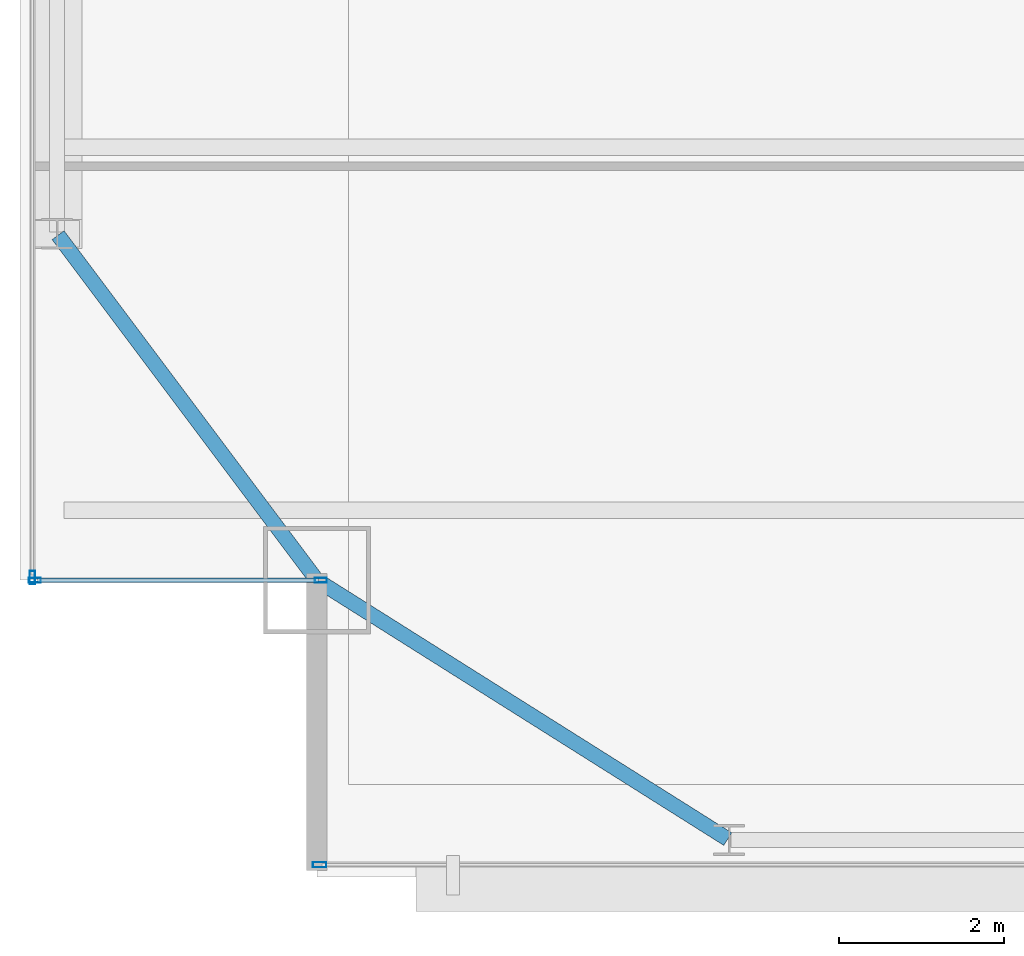
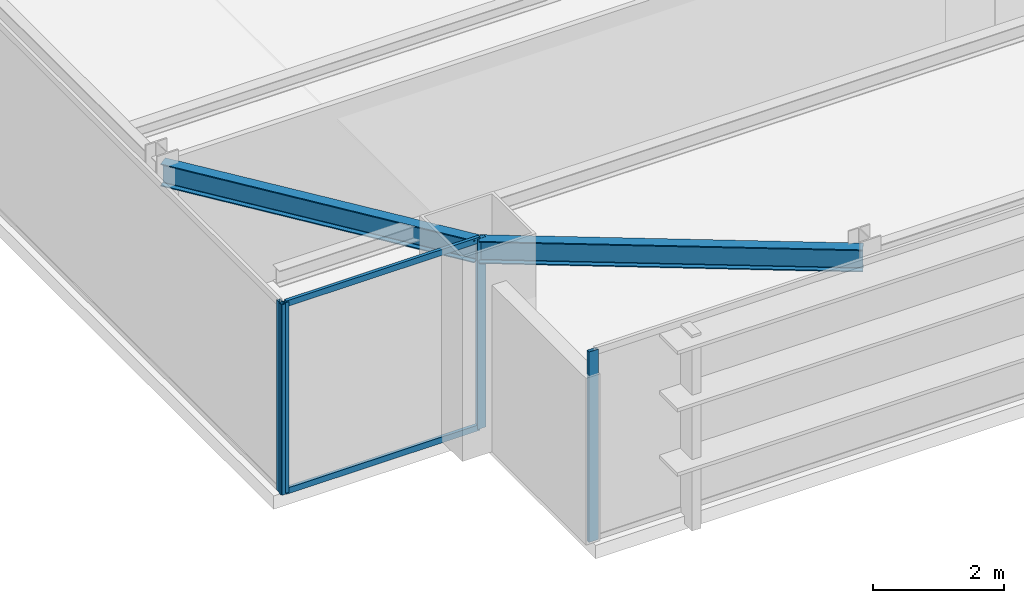
# One storey, part 4 of 30: 6 members, 2 beams, 3 elements without a shape of their own.
"""IFC4 building model written with IfcOpenShell, lengths in metres."""

import ifcopenshell
import ifcopenshell.guid

model = None  # the IFC model being written
_history = None  # IfcOwnerHistory: only IFC2X3 demands one
_inside = {}  # id of a spatial element -> (the spatial element, [elements in it])
_under = {}  # id of a project, library or spatial element -> (it, [spatial elements below it])
_declared = {}  # id of a project -> (the project, [libraries it declares])
_typed = {}  # id of a type object -> (the type object, [elements of that type])
_made_of = {}  # id of a material, layer set ... -> (it, [elements and type objects made of it])


def new_model(schema):
    """Start an empty IFC model of exactly this schema.

    Asked for "IFC4X3", IfcOpenShell would pick the latest addendum, in which some entities
    have other attributes; the version numbers below select the first issue.
    IFC2X3 requires an IfcOwnerHistory on every rooted entity: one is made here for all.
    """
    global model, _history
    if schema == "IFC4X3":
        model = ifcopenshell.file(schema_version=(4, 3, 0, 0))
    else:
        model = ifcopenshell.file(schema=schema)
    _inside.clear()
    _under.clear()
    _declared.clear()
    _typed.clear()
    _made_of.clear()
    _history = None
    if model.schema == "IFC2X3":
        org = make("IfcOrganization", Name="unknown")
        user = make(
            "IfcPersonAndOrganization",
            ThePerson=make("IfcPerson", FamilyName="unknown"),
            TheOrganization=org,
        )
        app = make(
            "IfcApplication",
            ApplicationDeveloper=org,
            Version="unknown",
            ApplicationFullName="unknown",
            ApplicationIdentifier="unknown",
        )
        _history = make(
            "IfcOwnerHistory",
            OwningUser=user,
            OwningApplication=app,
            ChangeAction="ADDED",
            CreationDate=0,
        )
    return model


def make(cls, **values):
    """One entity of the class cls with the attributes given. An attribute that is None is left unset."""
    return model.create_entity(
        cls, **{name: value for name, value in values.items() if value is not None}
    )


def rooted(cls, **values):
    """An entity with a GlobalId (a new one), such as an element, a storey or a relation."""
    return make(cls, GlobalId=ifcopenshell.guid.new(), OwnerHistory=_history, **values)


def si_unit(unit_type, name, prefix=None):
    """IfcSIUnit, for example si_unit("LENGTHUNIT", "METRE", prefix="MILLI")."""
    return make("IfcSIUnit", UnitType=unit_type, Prefix=prefix, Name=name)


def assignment(units):
    """IfcUnitAssignment: the units of a project."""
    return None if units is None else make("IfcUnitAssignment", Units=units)


def point(xyz):
    """IfcCartesianPoint."""
    return None if xyz is None else make("IfcCartesianPoint", Coordinates=xyz)


def direction(xyz):
    """IfcDirection."""
    return None if xyz is None else make("IfcDirection", DirectionRatios=xyz)


def frame(location, z_axis=None, x_axis=None):
    """IfcAxis2Placement3D, a coordinate frame: its origin and axes. An axis left out is left unset."""
    return make(
        "IfcAxis2Placement3D",
        Location=point(location),
        Axis=direction(z_axis),
        RefDirection=direction(x_axis),
    )


def frame_2d(location, x_axis=None):
    """IfcAxis2Placement2D, a coordinate frame in the plane: its origin and x axis."""
    return make(
        "IfcAxis2Placement2D", Location=point(location), RefDirection=direction(x_axis)
    )


def origin():
    """The frame at (0, 0, 0) with its axes left unset."""
    return frame((0.0, 0.0, 0.0))


def origin_2d():
    """The frame at (0, 0) in the plane with its x axis left unset."""
    return frame_2d((0.0, 0.0))


def place(relative_to, where):
    """IfcLocalPlacement: puts the frame where relative to a parent placement (None: the world)."""
    return make(
        "IfcLocalPlacement", PlacementRelTo=relative_to, RelativePlacement=where
    )


def context(
    kind, dimensions, precision=None, world=None, true_north=None, identifier=None
):
    """IfcGeometricRepresentationContext, for example the 3D "Model" context."""
    return make(
        "IfcGeometricRepresentationContext",
        ContextIdentifier=identifier,
        ContextType=kind,
        CoordinateSpaceDimension=dimensions,
        Precision=precision,
        WorldCoordinateSystem=world,
        TrueNorth=true_north,
    )


def subcontext(parent, identifier, kind, view, scale=None):
    """IfcGeometricRepresentationSubContext, for example "Body" below "Model"."""
    return make(
        "IfcGeometricRepresentationSubContext",
        ContextIdentifier=identifier,
        ContextType=kind,
        ParentContext=parent,
        TargetScale=scale,
        TargetView=view,
    )


def project(units=None, contexts=None):
    """IfcProject with its units and contexts."""
    return rooted(
        "IfcProject",
        Name="project",
        RepresentationContexts=contexts,
        UnitsInContext=assignment(units),
    )


def spatial(cls, under=None, at=None, **own):
    """A site, building, storey or space (cls), placed at a placement, below another one or the project."""
    s = rooted(cls, ObjectPlacement=at, **own)
    if under is not None:
        _under.setdefault(under.id(), (under, []))[1].append(s)
    return s


def profile(cls, at=None, kind="AREA", **sizes):
    """A parametric profile (cls). Its sizes go by their IFC names, for example OverallWidth=200.0."""
    return make(cls, ProfileType=kind, Position=at, **sizes)


def hollow_rectangle(**sizes):
    """IfcRectangleHollowProfileDef."""
    return profile("IfcRectangleHollowProfileDef", **sizes)


def i_section(**sizes):
    """IfcIShapeProfileDef."""
    return profile("IfcIShapeProfileDef", **sizes)


def extrude(swept, where, along, depth):
    """IfcExtrudedAreaSolid: the profile swept, set in the frame where, extruded along a direction by depth."""
    return make(
        "IfcExtrudedAreaSolid",
        SweptArea=swept,
        Position=where,
        ExtrudedDirection=direction(along),
        Depth=depth,
    )


def shape(context_of_items, identifier, shape_type, items):
    """IfcShapeRepresentation: the items that make up one representation, for example the "Body"."""
    return make(
        "IfcShapeRepresentation",
        ContextOfItems=context_of_items,
        RepresentationIdentifier=identifier,
        RepresentationType=shape_type,
        Items=items,
    )


def source(mapping_origin, context_of_items, identifier, shape_type, items):
    """IfcRepresentationMap: a shape defined once, which mapped items show again and again."""
    return make(
        "IfcRepresentationMap",
        MappingOrigin=mapping_origin,
        MappedRepresentation=shape(context_of_items, identifier, shape_type, items),
    )


def transform(
    local_origin,
    x_axis=None,
    y_axis=None,
    z_axis=None,
    scale=None,
    scale2=None,
    scale3=None,
    uniform=True,
):
    """IfcCartesianTransformationOperator3D, or its non-uniform kind. x_axis, y_axis, z_axis: its Axis1, 2, 3."""
    if uniform:
        return make(
            "IfcCartesianTransformationOperator3D",
            Axis1=direction(x_axis),
            Axis2=direction(y_axis),
            LocalOrigin=point(local_origin),
            Scale=scale,
            Axis3=direction(z_axis),
        )
    return make(
        "IfcCartesianTransformationOperator3DnonUniform",
        Axis1=direction(x_axis),
        Axis2=direction(y_axis),
        LocalOrigin=point(local_origin),
        Scale=scale,
        Axis3=direction(z_axis),
        Scale2=scale2,
        Scale3=scale3,
    )


def mapped(mapping_source, mapping_target):
    """IfcMappedItem: shows the shape of a source again, moved by a transform."""
    return make(
        "IfcMappedItem", MappingSource=mapping_source, MappingTarget=mapping_target
    )


def material(Name=None, Category=None):
    """IfcMaterial."""
    return make("IfcMaterial", Name=Name, Category=Category)


def layer(
    of_material, thickness, ventilated=None, Name=None, Category=None, Priority=None
):
    """IfcMaterialLayer: one layer of a wall or slab, of a material (None: an air gap)."""
    return make(
        "IfcMaterialLayer",
        Material=of_material,
        LayerThickness=thickness,
        IsVentilated=ventilated,
        Name=Name,
        Category=Category,
        Priority=Priority,
    )


def layer_set(layers, Name=None):
    """IfcMaterialLayerSet."""
    return make("IfcMaterialLayerSet", MaterialLayers=layers, LayerSetName=Name)


def material_profile(
    of_material, cross_section, Name=None, Category=None, Priority=None
):
    """IfcMaterialProfile: a cross section and its material."""
    return make(
        "IfcMaterialProfile",
        Name=Name,
        Material=of_material,
        Profile=cross_section,
        Priority=Priority,
        Category=Category,
    )


def profile_set(profiles, Name=None, composite=None):
    """IfcMaterialProfileSet."""
    return make(
        "IfcMaterialProfileSet",
        Name=Name,
        MaterialProfiles=profiles,
        CompositeProfile=composite,
    )


def made_of(thing, what):
    """Note that an element or type object is made of a material, layer set ...; save() writes the relation."""
    if what is not None:
        _made_of.setdefault(what.id(), (what, []))[1].append(thing)
    return thing


def type_object(cls, material=None, **own):
    """A type object (cls), such as IfcWallType, which elements share."""
    return made_of(rooted(cls, **own), material)


def type_shapes(of_type, sources):
    """Give a type object the sources (RepresentationMaps) that its elements show as mapped items."""
    of_type.RepresentationMaps = sources


def element(
    cls,
    number,
    at=None,
    inside=None,
    cuts=None,
    type_object=None,
    material=None,
    context=None,
    identifier="Body",
    shape_type=None,
    held_by="IfcProductDefinitionShape",
    body=None,
    shapes=None,
    **own,
):
    """One element of the class cls, such as IfcWall. Its Tag is "e" and its number.

    at: its placement. inside: the storey or other place that contains it. cuts: it is an
    opening in that element (IfcRelVoidsElement). A single representation is given by context,
    identifier, shape_type and body (its items); several are given by shapes. held_by: the class
    of the entity that holds the representations. save() writes the other relations.
    """
    e = rooted(cls, Tag="e%d" % number, ObjectPlacement=at, **own)
    if body is not None:
        shapes = [shape(context, identifier, shape_type, body)]
    if shapes is not None:
        e.Representation = make(held_by, Representations=shapes)
    if inside is not None:
        _inside.setdefault(inside.id(), (inside, []))[1].append(e)
    if cuts is not None:
        rooted(
            "IfcRelVoidsElement", RelatingBuildingElement=cuts, RelatedOpeningElement=e
        )
    if type_object is not None:
        _typed.setdefault(type_object.id(), (type_object, []))[1].append(e)
    return made_of(e, material)


def aggregate(whole, parts):
    """IfcRelAggregates: a whole, such as a stair, and the parts it consists of."""
    return rooted("IfcRelAggregates", RelatingObject=whole, RelatedObjects=parts)


def save(model, path):
    """Write the relations noted so far, then the file.

    IfcRelAggregates (storeys below a building ...), IfcRelContainedInSpatialStructure (elements
    in a storey), IfcRelDefinesByType, IfcRelAssociatesMaterial and IfcRelDeclares: one each for
    every whole, place, type object, material and project.
    """
    for whole, parts in _under.values():
        aggregate(whole, parts)
    for where, things in _inside.values():
        rooted(
            "IfcRelContainedInSpatialStructure",
            RelatedElements=things,
            RelatingStructure=where,
        )
    for kind, things in _typed.values():
        rooted("IfcRelDefinesByType", RelatedObjects=things, RelatingType=kind)
    for what, things in _made_of.values():
        rooted("IfcRelAssociatesMaterial", RelatedObjects=things, RelatingMaterial=what)
    for by, libraries in _declared.values():
        rooted("IfcRelDeclares", RelatingContext=by, RelatedDefinitions=libraries)
    model.write(path)


model = new_model("IFC4")

# Units and contexts
model_context = context("Model", 3, precision=1e-05, world=origin(), true_north=direction((0.0, 1.0)))
body_context = subcontext(model_context, "Body", "Model", "MODEL_VIEW")
ifc_project = project(units=[si_unit("LENGTHUNIT", "METRE"), si_unit("AREAUNIT", "SQUARE_METRE"), si_unit("VOLUMEUNIT", "CUBIC_METRE"), si_unit("PLANEANGLEUNIT", "RADIAN"), si_unit("MASSUNIT", "GRAM", prefix="KILO")], contexts=[model_context])

# Site, building, storey
site_placement = place(None, origin())
site = spatial("IfcSite", under=ifc_project, at=site_placement, CompositionType="ELEMENT")
building_placement = place(site_placement, origin())
building = spatial("IfcBuilding", under=site, at=building_placement, Name="Varnel Quay Broadcast Tower", CompositionType="ELEMENT")
storey_placement = place(building_placement, frame((0.0, 0.0, 149.60009765625)))
storey = spatial("IfcBuildingStorey", under=building, at=storey_placement, Name="L36", CompositionType="ELEMENT", Elevation=149.60009765625)

# Beams
ifc_material_1 = material(Name="Structural Steel CSA G40.21 350W", Category="steel")
ifc_material_profile_1 = material_profile(ifc_material_1, i_section(OverallWidth=0.180908203125, OverallDepth=0.4169921875, WebThickness=0.010986328125, FlangeThickness=0.018310546875, FilletRadius=0.011962890625, at=origin_2d()), Name="W410X85")
ifc_profile_set_1 = profile_set([ifc_material_profile_1], Name="Structural Steel CSA G40.21 350W")
beam_type = type_object("IfcBeamType", Name="Beam_W410X85", PredefinedType="SPANDREL", material=ifc_profile_set_1)
shared_shape_1 = source(origin(), body_context, "Body", "SweptSolid", [
    extrude(i_section(OverallWidth=0.180908203125, OverallDepth=0.4169921875, WebThickness=0.010986328125, FlangeThickness=0.018310546875, FilletRadius=0.011962890625, at=origin_2d()), origin(), (0.0, 0.0, 1.0), 5.869384765625),
])
beam_1_placement = place(storey_placement, frame((10.616943359375, 10.789306640625, 3.34130859375), z_axis=(0.846088328928, -0.533042718412, 0.0), x_axis=(0.533042718412, 0.846088328928, 0.0)))
element("IfcBeam", 1, at=beam_1_placement, inside=storey, type_object=beam_type, Name="L36 South Spandrel MC-SW-TC-S1", PredefinedType="SPANDREL", context=body_context, shape_type="MappedRepresentation", body=[
    mapped(shared_shape_1, transform((0.0, 0.0, 0.0), x_axis=(1.0, 0.0, 0.0), y_axis=(0.0, 1.0, 0.0), z_axis=(0.0, 0.0, 1.0), scale=1.0)),
])
shared_shape_2 = source(origin(), body_context, "Body", "SweptSolid", [
    extrude(i_section(OverallWidth=0.180908203125, OverallDepth=0.4169921875, WebThickness=0.010986328125, FlangeThickness=0.018310546875, FilletRadius=0.011962890625, at=origin_2d()), origin(), (0.0, 0.0, 1.0), 5.2099609375),
])
type_shapes(beam_type, [shared_shape_1, shared_shape_2])
beam_2_placement = place(storey_placement, frame((10.587890625, 10.81591796875, 3.34130859375), z_axis=(-0.6, 0.8, 0.0), x_axis=(-0.8, -0.6, 0.0)))
element("IfcBeam", 2, at=beam_2_placement, inside=storey, type_object=beam_type, Name="L36 West Spandrel MC-SW-TC-W1", PredefinedType="SPANDREL", context=body_context, shape_type="MappedRepresentation", body=[
    mapped(shared_shape_2, transform((0.0, 0.0, 0.0), x_axis=(1.0, 0.0, 0.0), y_axis=(0.0, 1.0, 0.0), z_axis=(0.0, 0.0, 1.0), scale=1.0)),
])

# Curtain wall, members
ifc_material_2 = material(Name="Anodised Bronze Aluminium 6063-T6", Category="aluminium")
ifc_layer_1 = layer(ifc_material_2, 0.18994140625, Name="Anodised Bronze Aluminium 6063-T6")
ifc_layer_set_1 = layer_set([ifc_layer_1], Name="Anodised Bronze Aluminium 6063-T6")
curtain_wall_type_1 = type_object("IfcCurtainWallType", Name="CW_NotchCorner", PredefinedType="NOTDEFINED", material=ifc_layer_set_1)
curtain_wall_1_placement = place(storey_placement, origin())
curtain_wall_1 = element("IfcCurtainWall", 3, at=curtain_wall_1_placement, inside=storey, type_object=curtain_wall_type_1, Name="L36 SW Notch Curtain Wall", PredefinedType="NOTDEFINED")
ifc_material_profile_2 = material_profile(ifc_material_2, hollow_rectangle(XDim=0.054931640625, YDim=0.110107421875, WallThickness=0.0029296875, at=origin_2d()), Name="ALU55X110X3")
ifc_profile_set_2 = profile_set([ifc_material_profile_2], Name="Anodised Bronze Aluminium 6063-T6")
member_type_1 = type_object("IfcMemberType", Name="Tran_CWS-04", PredefinedType="USERDEFINED", material=ifc_profile_set_2)
shared_shape_3 = source(origin(), body_context, "Body", "SweptSolid", [
    extrude(hollow_rectangle(XDim=0.054931640625, YDim=0.110107421875, WallThickness=0.0029296875, at=origin_2d()), origin(), (0.0, 0.0, 1.0), 3.41015625),
])
type_shapes(member_type_1, [shared_shape_3])
member_1_placement = place(storey_placement, frame((7.2099609375, 10.800048828125, 0.02734375), z_axis=(1.0, 0.0, 0.0), x_axis=(0.0, 1.0, 0.0)))
member_1 = element("IfcMember", 4, at=member_1_placement, type_object=member_type_1, Name="CWS-04 transom 1.1", ObjectType="TRANSOM", PredefinedType="USERDEFINED", context=body_context, shape_type="MappedRepresentation", body=[
    mapped(shared_shape_3, transform((0.0, 0.0, 0.0), x_axis=(1.0, 0.0, 0.0), y_axis=(0.0, 1.0, 0.0), z_axis=(0.0, 0.0, 1.0), scale=1.0)),
])
member_2_placement = place(storey_placement, frame((7.2099609375, 10.800048828125, 3.5224609375), z_axis=(1.0, 0.0, 0.0), x_axis=(0.0, 1.0, 0.0)))
member_2 = element("IfcMember", 5, at=member_2_placement, type_object=member_type_1, Name="CWS-04 transom 1.2", ObjectType="TRANSOM", PredefinedType="USERDEFINED", context=body_context, shape_type="MappedRepresentation", body=[
    mapped(shared_shape_3, transform((0.0, 0.0, 0.0), x_axis=(1.0, 0.0, 0.0), y_axis=(0.0, 1.0, 0.0), z_axis=(0.0, 0.0, 1.0), scale=1.0)),
])
ifc_material_profile_3 = material_profile(ifc_material_2, hollow_rectangle(XDim=0.06005859375, YDim=0.14501953125, WallThickness=0.00341796875, at=origin_2d()), Name="ALU60X145X3.5")
ifc_profile_set_3 = profile_set([ifc_material_profile_3], Name="Anodised Bronze Aluminium 6063-T6")
member_type_2 = type_object("IfcMemberType", Name="Mull_CWS-04", PredefinedType="MULLION", material=ifc_profile_set_3)
shared_shape_4 = source(origin(), body_context, "Body", "SweptSolid", [
    extrude(hollow_rectangle(XDim=0.06005859375, YDim=0.14501953125, WallThickness=0.00341796875, at=origin_2d()), origin(), (0.0, 0.0, 1.0), 3.5498046875),
])
type_shapes(member_type_2, [shared_shape_4])
member_3_placement = place(storey_placement, frame((7.179931640625, 10.800048828125, 0.0), z_axis=(0.0, 0.0, 1.0), x_axis=(0.0, 1.0, 0.0)))
member_3 = element("IfcMember", 6, at=member_3_placement, type_object=member_type_2, Name="CWS-04 mullion 1", PredefinedType="MULLION", context=body_context, shape_type="MappedRepresentation", body=[
    mapped(shared_shape_4, transform((0.0, 0.0, 0.0), x_axis=(1.0, 0.0, 0.0), y_axis=(0.0, 1.0, 0.0), z_axis=(0.0, 0.0, 1.0), scale=1.0)),
])
member_4_placement = place(storey_placement, frame((10.64990234375, 10.800048828125, 0.0), z_axis=(0.0, 0.0, 1.0), x_axis=(0.0, 1.0, 0.0)))
member_4 = element("IfcMember", 7, at=member_4_placement, type_object=member_type_2, Name="CWS-04 mullion 2", PredefinedType="MULLION", context=body_context, shape_type="MappedRepresentation", body=[
    mapped(shared_shape_4, transform((0.0, 0.0, 0.0), x_axis=(1.0, 0.0, 0.0), y_axis=(0.0, 1.0, 0.0), z_axis=(0.0, 0.0, 1.0), scale=1.0)),
])
aggregate(curtain_wall_1, [member_3, member_4, member_1, member_2])

# Curtain wall, member
ifc_layer_2 = layer(ifc_material_2, 0.18994140625, Name="Anodised Bronze Aluminium 6063-T6")
ifc_layer_set_2 = layer_set([ifc_layer_2], Name="Anodised Bronze Aluminium 6063-T6")
curtain_wall_type_2 = type_object("IfcCurtainWallType", Name="CW_UpperTower", PredefinedType="NOTDEFINED", material=ifc_layer_set_2)
curtain_wall_2_placement = place(storey_placement, origin())
curtain_wall_2 = element("IfcCurtainWall", 8, at=curtain_wall_2_placement, inside=storey, type_object=curtain_wall_type_2, Name="L36 South Unitised Curtain Wall 1", PredefinedType="NOTDEFINED")
ifc_material_profile_4 = material_profile(ifc_material_2, hollow_rectangle(XDim=0.06494140625, YDim=0.1650390625, WallThickness=0.00341796875, at=origin_2d()), Name="ALU65X165X3.5")
ifc_profile_set_4 = profile_set([ifc_material_profile_4], Name="Anodised Bronze Aluminium 6063-T6")
member_type_3 = type_object("IfcMemberType", Name="Mull_CWS-03", PredefinedType="MULLION", material=ifc_profile_set_4)
shared_shape_5 = source(origin(), body_context, "Body", "SweptSolid", [
    extrude(hollow_rectangle(XDim=0.06494140625, YDim=0.1650390625, WallThickness=0.00341796875, at=origin_2d()), origin(), (0.0, 0.0, 1.0), 3.5498046875),
])
type_shapes(member_type_3, [shared_shape_5])
member_5_placement = place(storey_placement, frame((10.632568359375, 7.35009765625, 0.0), z_axis=(0.0, 0.0, 1.0), x_axis=(0.0, 1.0, 0.0)))
member_5 = element("IfcMember", 9, at=member_5_placement, type_object=member_type_3, Name="CWS-03 mullion 1", PredefinedType="MULLION", context=body_context, shape_type="MappedRepresentation", body=[
    mapped(shared_shape_5, transform((0.0, 0.0, 0.0), x_axis=(1.0, 0.0, 0.0), y_axis=(0.0, 1.0, 0.0), z_axis=(0.0, 0.0, 1.0), scale=1.0)),
])
aggregate(curtain_wall_2, [member_5])

curtain_wall_3_placement = place(storey_placement, origin())
curtain_wall_3 = element("IfcCurtainWall", 10, at=curtain_wall_3_placement, inside=storey, type_object=curtain_wall_type_2, Name="L36 West Unitised Curtain Wall", PredefinedType="NOTDEFINED")
member_6_placement = place(storey_placement, frame((7.14990234375, 10.83251953125, 0.0), z_axis=(0.0, 0.0, 1.0), x_axis=(-1.0, 0.0, 0.0)))
member_6 = element("IfcMember", 11, at=member_6_placement, type_object=member_type_3, Name="CWS-03 mullion 1", PredefinedType="MULLION", context=body_context, shape_type="MappedRepresentation", body=[
    mapped(shared_shape_5, transform((0.0, 0.0, 0.0), x_axis=(1.0, 0.0, 0.0), y_axis=(0.0, 1.0, 0.0), z_axis=(0.0, 0.0, 1.0), scale=1.0)),
])
aggregate(curtain_wall_3, [member_6])

save(model, "model.ifc")
